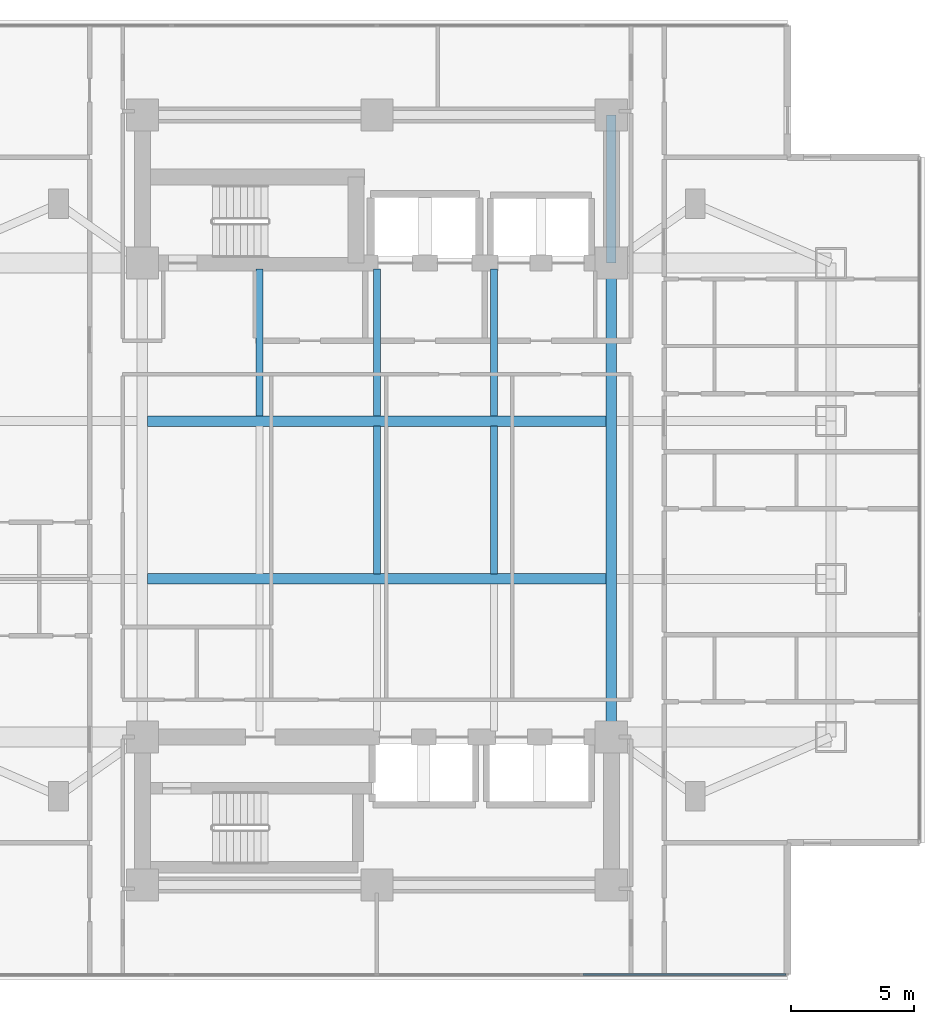
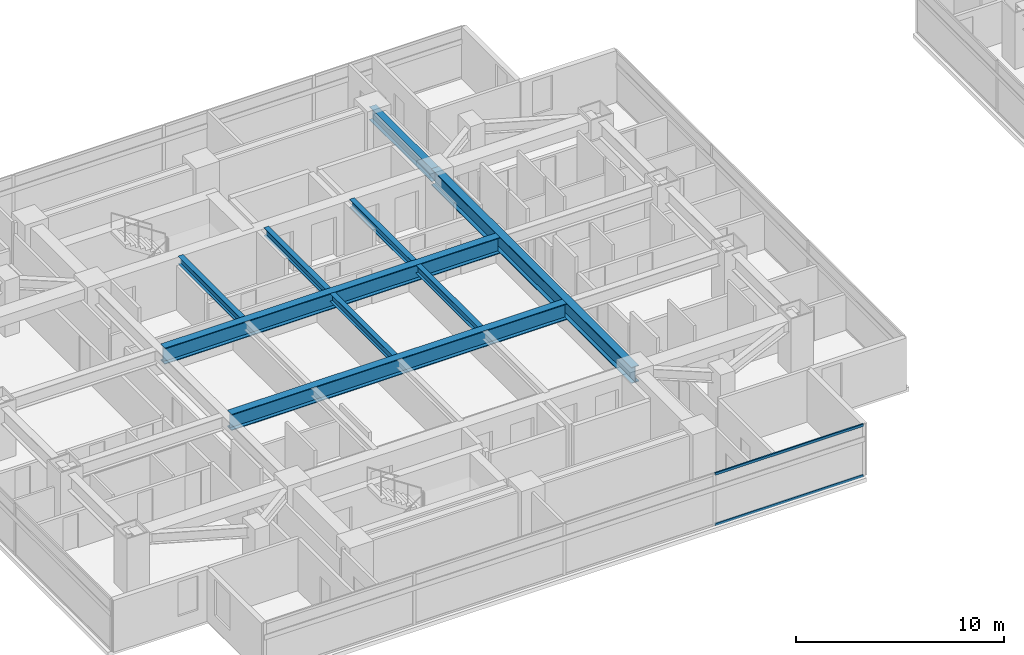
# One storey, part 4 of 24: 9 beams, 2 members, 1 element without a shape of its own.
"""IFC4 building model written with IfcOpenShell, lengths in metres."""

from ifc_helpers import new_model, si_unit, direction, frame, origin, origin_2d, place, context, subcontext, project, spatial, rectangle, i_section, extrude, material, material_profile, profile_set, type_object, element, aggregate, save


model = new_model("IFC4")

# Units and contexts
model_context = context("Model", 3, precision=1e-05, world=origin(), true_north=direction((0.0, 1.0)))
body_context = subcontext(model_context, "Body", "Model", "MODEL_VIEW")
ifc_project = project(units=[si_unit("LENGTHUNIT", "METRE"), si_unit("AREAUNIT", "SQUARE_METRE"), si_unit("VOLUMEUNIT", "CUBIC_METRE"), si_unit("PLANEANGLEUNIT", "RADIAN"), si_unit("MASSUNIT", "GRAM", prefix="KILO")], contexts=[model_context])

# Site, building, storey
site_placement = place(None, origin())
site = spatial("IfcSite", under=ifc_project, at=site_placement, CompositionType="ELEMENT")
building_placement = place(site_placement, origin())
building = spatial("IfcBuilding", under=site, at=building_placement, Name="Mirazonda Arch Towers", CompositionType="ELEMENT")
storey_placement = place(building_placement, frame((0.0, 0.0, 68.60009765625)))
storey = spatial("IfcBuildingStorey", under=building, at=storey_placement, Name="L19", CompositionType="ELEMENT", Elevation=68.60009765625)

# Beams
ifc_material_1 = material(Name="Steel ASTM A992 Grade 50", Category="steel")
ifc_material_profile_1 = material_profile(ifc_material_1, i_section(OverallWidth=0.280029296875, OverallDepth=0.462890625, WebThickness=0.0107421875, FlangeThickness=0.017333984375, at=origin_2d()), Name="W18X76")
ifc_profile_set_1 = profile_set([ifc_material_profile_1], Name="Steel ASTM A992 Grade 50")
beam_type_1 = type_object("IfcBeamType", Name="BM-INT-W18X76", PredefinedType="JOIST", material=ifc_profile_set_1)
for number, where, z_axis, x_axis, name in (
    (1, (15.75, 31.407470703125, 2.828369140625), (0.0, 1.0, 0.0), (-1.0, 0.0, 0.0), "L19 Floor Beam BM-T1-L19-J-157-31"),
    (2, (20.5, 31.407470703125, 2.828369140625), (0.0, 1.0, 0.0), (-1.0, 0.0, 0.0), "L19 Floor Beam BM-T1-L19-J-205-31"),
):
    element("IfcBeam", number, at=place(storey_placement, frame(where, z_axis=z_axis, x_axis=x_axis)), inside=storey, type_object=beam_type_1, Name=name, PredefinedType="JOIST", context=body_context, shape_type="SweptSolid", body=[
        extrude(i_section(OverallWidth=0.280029296875, OverallDepth=0.462890625, WebThickness=0.0107421875, FlangeThickness=0.017333984375, at=origin_2d()), origin(), (0.0, 0.0, 1.0), 5.95263671875),
    ])
beam_1_placement = place(storey_placement, frame((20.5, 25.007568359375, 2.828369140625), z_axis=(0.0, 1.0, 0.0), x_axis=(-1.0, 0.0, 0.0)))
element("IfcBeam", 3, at=beam_1_placement, inside=storey, type_object=beam_type_1, Name="L19 Floor Beam BM-T1-L19-J-205-24", PredefinedType="JOIST", context=body_context, shape_type="SweptSolid", body=[
    extrude(i_section(OverallWidth=0.280029296875, OverallDepth=0.462890625, WebThickness=0.0107421875, FlangeThickness=0.017333984375, at=origin_2d()), origin(), (0.0, 0.0, 1.0), 5.98486328125),
])
beam_2_placement = place(storey_placement, frame((25.25, 31.407470703125, 2.828369140625), z_axis=(0.0, 1.0, 0.0), x_axis=(-1.0, 0.0, 0.0)))
element("IfcBeam", 4, at=beam_2_placement, inside=storey, type_object=beam_type_1, Name="L19 Floor Beam BM-T1-L19-J-252-31", PredefinedType="JOIST", context=body_context, shape_type="SweptSolid", body=[
    extrude(i_section(OverallWidth=0.280029296875, OverallDepth=0.462890625, WebThickness=0.0107421875, FlangeThickness=0.017333984375, at=origin_2d()), origin(), (0.0, 0.0, 1.0), 5.95263671875),
])
beam_3_placement = place(storey_placement, frame((25.25, 25.007568359375, 2.828369140625), z_axis=(0.0, 1.0, 0.0), x_axis=(-1.0, 0.0, 0.0)))
element("IfcBeam", 5, at=beam_3_placement, inside=storey, type_object=beam_type_1, Name="L19 Floor Beam BM-T1-L19-J-252-24", PredefinedType="JOIST", context=body_context, shape_type="SweptSolid", body=[
    extrude(i_section(OverallWidth=0.280029296875, OverallDepth=0.462890625, WebThickness=0.0107421875, FlangeThickness=0.017333984375, at=origin_2d()), origin(), (0.0, 0.0, 1.0), 5.98486328125),
])
ifc_material_profile_2 = material_profile(ifc_material_1, i_section(OverallWidth=0.381103515625, OverallDepth=0.77294921875, WebThickness=0.0166015625, FlangeThickness=0.027099609375, at=origin_2d()), Name="W30X173")
ifc_profile_set_2 = profile_set([ifc_material_profile_2], Name="Steel ASTM A992 Grade 50")
beam_type_2 = type_object("IfcBeamType", Name="BM-INT-W30X173", PredefinedType="USERDEFINED", material=ifc_profile_set_2)
beam_4_placement = place(storey_placement, frame((30.0, 37.60009765625, 2.67333984375), z_axis=(0.0, 1.0, 0.0), x_axis=(-1.0, 0.0, 0.0)))
element("IfcBeam", 6, at=beam_4_placement, inside=storey, type_object=beam_type_2, Name="L19 Floor Beam BM-T1-L19-CNE", ObjectType="GIRDER", PredefinedType="USERDEFINED", context=body_context, shape_type="SweptSolid", body=[
    extrude(i_section(OverallWidth=0.381103515625, OverallDepth=0.77294921875, WebThickness=0.0166015625, FlangeThickness=0.027099609375, at=origin_2d()), origin(), (0.0, 0.0, 1.0), 6.0),
])
ifc_material_profile_3 = material_profile(ifc_material_1, i_section(OverallWidth=0.423095703125, OverallDepth=0.947998046875, WebThickness=0.02392578125, FlangeThickness=0.042724609375, at=origin_2d()), Name="W36X302")
ifc_profile_set_3 = profile_set([ifc_material_profile_3], Name="Steel ASTM A992 Grade 50")
beam_type_3 = type_object("IfcBeamType", Name="BM-INT-W36X302", PredefinedType="USERDEFINED", material=ifc_profile_set_3)
for number, where, z_axis, x_axis, name in (
    (7, (11.21142578125, 24.800048828125, 2.5859375), (1.0, 0.0, 0.0), (0.0, 1.0, 0.0), "L19 Floor Beam BM-T1-L19-GC2"),
    (8, (11.21142578125, 31.199951171875, 2.5859375), (1.0, 0.0, 0.0), (0.0, 1.0, 0.0), "L19 Floor Beam BM-T1-L19-GC3"),
):
    element("IfcBeam", number, at=place(storey_placement, frame(where, z_axis=z_axis, x_axis=x_axis)), inside=storey, type_object=beam_type_3, Name=name, ObjectType="GIRDER", PredefinedType="USERDEFINED", context=body_context, shape_type="SweptSolid", body=[
        extrude(i_section(OverallWidth=0.423095703125, OverallDepth=0.947998046875, WebThickness=0.02392578125, FlangeThickness=0.042724609375, at=origin_2d()), origin(), (0.0, 0.0, 1.0), 18.5771484375),
    ])
beam_5_placement = place(storey_placement, frame((30.0, 18.39990234375, 2.5859375), z_axis=(0.0, 1.0, 0.0), x_axis=(-1.0, 0.0, 0.0)))
element("IfcBeam", 9, at=beam_5_placement, inside=storey, type_object=beam_type_3, Name="L19 Floor Beam BM-T1-L19-NS-CE-FULL", ObjectType="GIRDER", PredefinedType="USERDEFINED", context=body_context, shape_type="SweptSolid", body=[
    extrude(i_section(OverallWidth=0.423095703125, OverallDepth=0.947998046875, WebThickness=0.02392578125, FlangeThickness=0.042724609375, at=origin_2d()), origin(), (0.0, 0.0, 1.0), 19.2001953125),
])

# Curtain wall, members
ifc_material_2 = material(Name="Anodised Aluminium and Low-E Glass", Category="aluminium")
curtain_wall_type = type_object("IfcCurtainWallType", Name="CW-HTL-UNIT", PredefinedType="NOTDEFINED", material=ifc_material_2)
curtain_wall_placement = place(storey_placement, origin())
curtain_wall = element("IfcCurtainWall", 10, at=curtain_wall_placement, inside=storey, type_object=curtain_wall_type, Name="L19 T1 S Facade CW-L19-T1-S", PredefinedType="NOTDEFINED")
ifc_material_3 = material(Name="Anodised Aluminium Alloy", Category="aluminium")
ifc_material_profile_4 = material_profile(ifc_material_3, rectangle(XDim=0.074951171875, YDim=0.14501953125, at=origin_2d()), Name="ALU-TRAN-75x145")
ifc_profile_set_4 = profile_set([ifc_material_profile_4], Name="Anodised Aluminium Alloy")
member_type = type_object("IfcMemberType", Name="TRAN-CW-HTL-UNIT", PredefinedType="USERDEFINED", material=ifc_profile_set_4)
member_1_placement = place(storey_placement, frame((37.06494140625, 8.77001953125, 0.037353515625), z_axis=(-1.0, 0.0, 0.0), x_axis=(0.0, -1.0, 0.0)))
member_1 = element("IfcMember", 11, at=member_1_placement, type_object=member_type, Name="CW-112 transom 1.1", ObjectType="TRANSOM", PredefinedType="USERDEFINED", context=body_context, shape_type="SweptSolid", body=[
    extrude(rectangle(XDim=0.074951171875, YDim=0.14501953125, at=origin_2d()), origin(), (0.0, 0.0, 1.0), 8.20751953125),
])
member_2_placement = place(storey_placement, frame((37.06494140625, 8.77001953125, 3.00244140625), z_axis=(-1.0, 0.0, 0.0), x_axis=(0.0, -1.0, 0.0)))
member_2 = element("IfcMember", 12, at=member_2_placement, type_object=member_type, Name="CW-112 transom 1.2", ObjectType="TRANSOM", PredefinedType="USERDEFINED", context=body_context, shape_type="SweptSolid", body=[
    extrude(rectangle(XDim=0.074951171875, YDim=0.14501953125, at=origin_2d()), origin(), (0.0, 0.0, 1.0), 8.20751953125),
])
aggregate(curtain_wall, [member_1, member_2])

save(model, "model.ifc")
